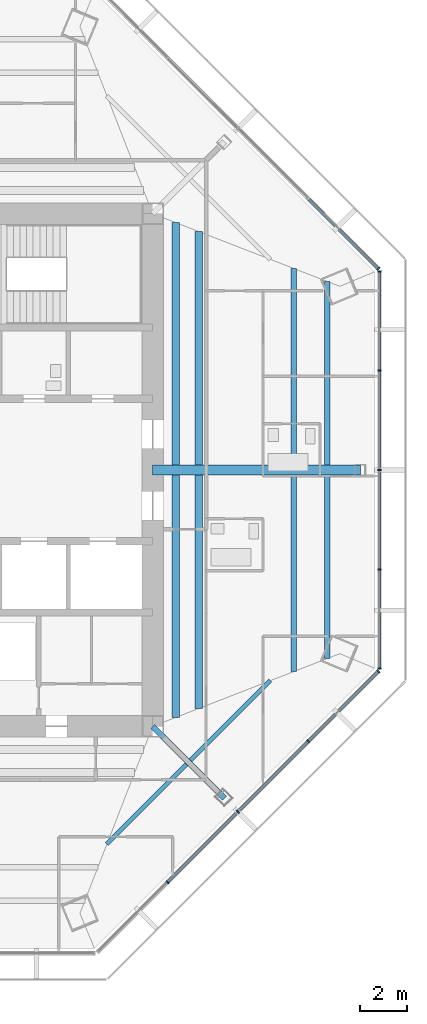
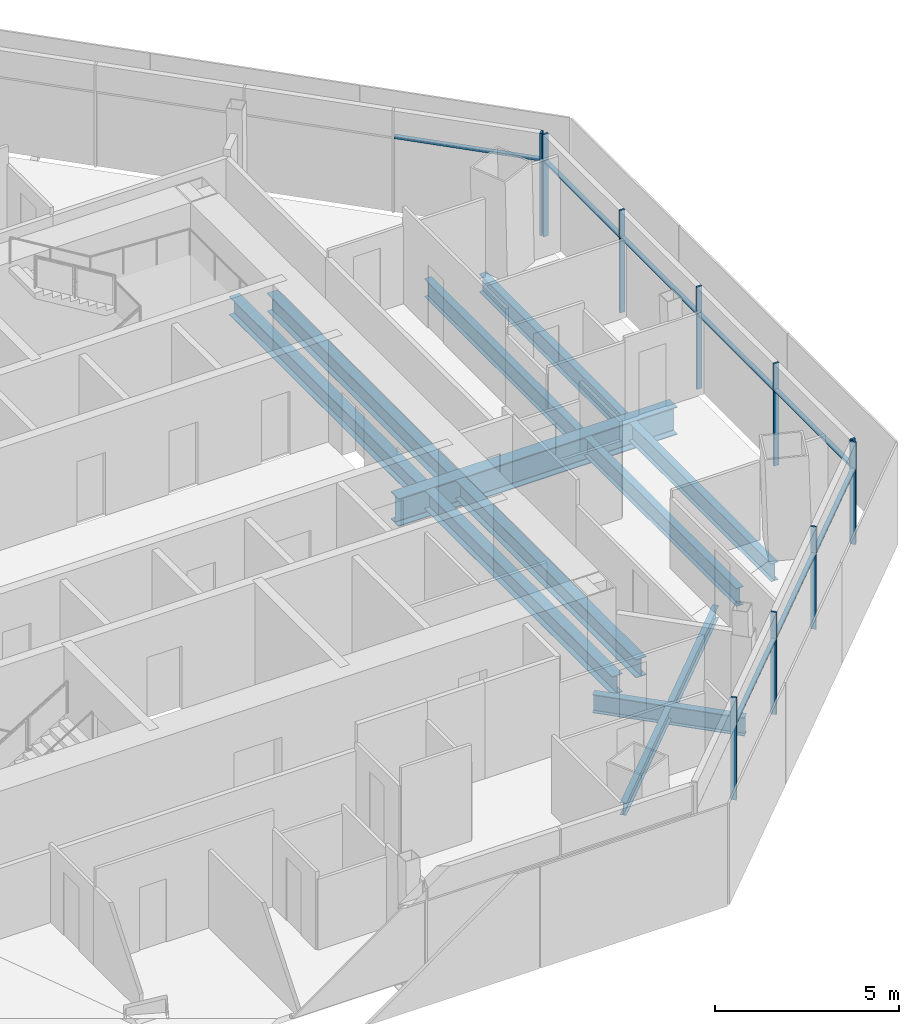
# One storey, part 5 of 15: 18 members, 12 beams, 3 elements without a shape of their own.
"""IFC4 building model written with IfcOpenShell, lengths in metres."""

from ifc_helpers import new_model, si_unit, direction, frame, origin, origin_2d, place, context, subcontext, project, spatial, rectangle, i_section, extrude, source, transform, mapped, material, material_profile, profile_set, type_object, type_shapes, element, aggregate, save


model = new_model("IFC4")

# Units and contexts
model_context = context("Model", 3, precision=1e-05, world=origin(), true_north=direction((0.0, 1.0)))
body_context = subcontext(model_context, "Body", "Model", "MODEL_VIEW")
ifc_project = project(units=[si_unit("LENGTHUNIT", "METRE"), si_unit("AREAUNIT", "SQUARE_METRE"), si_unit("VOLUMEUNIT", "CUBIC_METRE"), si_unit("PLANEANGLEUNIT", "RADIAN"), si_unit("MASSUNIT", "GRAM", prefix="KILO")], contexts=[model_context])

# Site, building, storey
site_placement = place(None, origin())
site = spatial("IfcSite", under=ifc_project, at=site_placement, CompositionType="ELEMENT")
building_placement = place(site_placement, origin())
building = spatial("IfcBuilding", under=site, at=building_placement, Name="Mashrafa Tower", CompositionType="ELEMENT")
storey_placement = place(building_placement, frame((0.0, 0.0, 270.800048828125)))
storey = spatial("IfcBuildingStorey", under=building, at=storey_placement, Name="L65", CompositionType="ELEMENT", Elevation=270.800048828125)

# Beams
ifc_material_1 = material(Name="Steel ASTM A992", Category="steel")
ifc_material_profile_1 = material_profile(ifc_material_1, i_section(OverallWidth=0.177734375, OverallDepth=0.406494140625, WebThickness=0.0078125, FlangeThickness=0.012939453125, FilletRadius=0.01025390625, at=origin_2d()), Name="W16X40")
ifc_profile_set_1 = profile_set([ifc_material_profile_1], Name="Steel ASTM A992")
beam_type_1 = type_object("IfcBeamType", Name="Beam W16X40", PredefinedType="BEAM", material=ifc_profile_set_1)
for number, where, z_axis, x_axis, name in (
    (1, (12.234619140625, -12.396484375, -0.4033203125), (-0.70713247034, -0.7070810911, 0.0), (0.7070810911, -0.70713247034, 0.0), "Floor beam L65 032"),
    (2, (15.75634765625, -8.87451171875, -0.4033203125), (-0.7070810911, -0.70713247034, 0.0), (0.70713247034, -0.7070810911, 0.0), "Floor beam L65 036"),
):
    element("IfcBeam", number, at=place(storey_placement, frame(where, z_axis=z_axis, x_axis=x_axis)), inside=storey, type_object=beam_type_1, Name=name, PredefinedType="BEAM", context=body_context, shape_type="SweptSolid", body=[
        extrude(i_section(OverallWidth=0.177734375, OverallDepth=0.406494140625, WebThickness=0.0078125, FlangeThickness=0.012939453125, FilletRadius=0.01025390625, at=origin_2d()), origin(), (0.0, 0.0, 1.0), 4.751708984375),
    ])
ifc_material_2 = material(Name="Steel ASTM A992", Category="steel")
ifc_material_profile_2 = material_profile(ifc_material_2, i_section(OverallWidth=0.3251953125, OverallDepth=0.612060546875, WebThickness=0.0126953125, FlangeThickness=0.01904296875, FilletRadius=0.0126953125, at=origin_2d()), Name="W24X104")
ifc_profile_set_2 = profile_set([ifc_material_profile_2], Name="Steel ASTM A992")
beam_type_2 = type_object("IfcBeamType", Name="Beam W24X104", PredefinedType="BEAM", material=ifc_profile_set_2)
for number, where, z_axis, x_axis, name in (
    (3, (11.7705078125, -0.20947265625, -0.506103515625), (0.0, -1.0, 0.0), (1.0, 0.0, 0.0), "Floor beam L65 030"),
    (4, (11.7705078125, 10.423095703125, -0.506103515625), (0.0, -1.0, 0.0), (1.0, 0.0, 0.0), "Floor beam L65 031"),
):
    element("IfcBeam", number, at=place(storey_placement, frame(where, z_axis=z_axis, x_axis=x_axis)), inside=storey, type_object=beam_type_2, Name=name, PredefinedType="BEAM", context=body_context, shape_type="SweptSolid", body=[
        extrude(i_section(OverallWidth=0.3251953125, OverallDepth=0.612060546875, WebThickness=0.0126953125, FlangeThickness=0.01904296875, FilletRadius=0.0126953125, at=origin_2d()), origin(), (0.0, 0.0, 1.0), 10.213623046875),
    ])
for number, where, z_axis, x_axis, name in (
    (5, (12.740966796875, -0.20947265625, -0.506103515625), (0.0, -1.0, 0.0), (1.0, 0.0, 0.0), "Floor beam L65 034"),
    (6, (12.740966796875, 10.0458984375, -0.506103515625), (0.0, -1.0, 0.0), (1.0, 0.0, 0.0), "Floor beam L65 035"),
):
    element("IfcBeam", number, at=place(storey_placement, frame(where, z_axis=z_axis, x_axis=x_axis)), inside=storey, type_object=beam_type_2, Name=name, PredefinedType="BEAM", context=body_context, shape_type="SweptSolid", body=[
        extrude(i_section(OverallWidth=0.3251953125, OverallDepth=0.612060546875, WebThickness=0.0126953125, FlangeThickness=0.01904296875, FilletRadius=0.0126953125, at=origin_2d()), origin(), (0.0, 0.0, 1.0), 9.83642578125),
    ])
ifc_material_3 = material(Name="Steel ASTM A992", Category="steel")
ifc_material_profile_3 = material_profile(ifc_material_3, i_section(OverallWidth=0.227783203125, OverallDepth=0.60205078125, WebThickness=0.010498046875, FlangeThickness=0.014892578125, FilletRadius=0.012939453125, at=origin_2d()), Name="W24X68")
ifc_profile_set_3 = profile_set([ifc_material_profile_3], Name="Steel ASTM A992")
beam_type_3 = type_object("IfcBeamType", Name="Beam W24X68", PredefinedType="BEAM", material=ifc_profile_set_3)
for number, where, z_axis, x_axis, name in (
    (7, (16.740966796875, -0.20947265625, -0.5009765625), (0.0, -1.0, 0.0), (1.0, 0.0, 0.0), "Floor beam L65 037"),
    (8, (16.740966796875, 8.4921875, -0.5009765625), (0.0, -1.0, 0.0), (1.0, 0.0, 0.0), "Floor beam L65 038"),
):
    element("IfcBeam", number, at=place(storey_placement, frame(where, z_axis=z_axis, x_axis=x_axis)), inside=storey, type_object=beam_type_3, Name=name, PredefinedType="BEAM", context=body_context, shape_type="SweptSolid", body=[
        extrude(i_section(OverallWidth=0.227783203125, OverallDepth=0.60205078125, WebThickness=0.010498046875, FlangeThickness=0.014892578125, FilletRadius=0.012939453125, at=origin_2d()), origin(), (0.0, 0.0, 1.0), 8.28271484375),
    ])
for number, where, z_axis, x_axis, name in (
    (9, (18.150390625, -0.20947265625, -0.5009765625), (0.0, -1.0, 0.0), (1.0, 0.0, 0.0), "Floor beam L65 039"),
    (10, (18.150390625, 7.944580078125, -0.5009765625), (0.0, -1.0, 0.0), (1.0, 0.0, 0.0), "Floor beam L65 040"),
):
    element("IfcBeam", number, at=place(storey_placement, frame(where, z_axis=z_axis, x_axis=x_axis)), inside=storey, type_object=beam_type_3, Name=name, PredefinedType="BEAM", context=body_context, shape_type="SweptSolid", body=[
        extrude(i_section(OverallWidth=0.227783203125, OverallDepth=0.60205078125, WebThickness=0.010498046875, FlangeThickness=0.014892578125, FilletRadius=0.012939453125, at=origin_2d()), origin(), (0.0, 0.0, 1.0), 7.735107421875),
    ])
ifc_material_4 = material(Name="Steel ASTM A992", Category="steel")
ifc_material_profile_4 = material_profile(ifc_material_4, i_section(OverallWidth=0.22900390625, OverallDepth=0.612060546875, WebThickness=0.011962890625, FlangeThickness=0.01953125, FilletRadius=0.0126953125, at=origin_2d()), Name="W24X84")
ifc_profile_set_4 = profile_set([ifc_material_profile_4], Name="Steel ASTM A992")
beam_type_4 = type_object("IfcBeamType", Name="Beam W24X84", PredefinedType="BEAM", material=ifc_profile_set_4)
beam_1_placement = place(storey_placement, frame((10.800048828125, -10.800048828125, -0.506103515625), z_axis=(0.707106781187, -0.707106781187, 0.0), x_axis=(0.707106781187, 0.707106781187, 0.0)))
element("IfcBeam", 11, at=beam_1_placement, inside=storey, type_object=beam_type_4, Name="Radial girder L65 046", PredefinedType="BEAM", context=body_context, shape_type="SweptSolid", body=[
    extrude(i_section(OverallWidth=0.22900390625, OverallDepth=0.612060546875, WebThickness=0.011962890625, FlangeThickness=0.01953125, FilletRadius=0.0126953125, at=origin_2d()), origin(), (0.0, 0.0, 1.0), 4.2861328125),
])
ifc_material_5 = material(Name="Steel ASTM A992", Category="steel")
ifc_material_profile_5 = material_profile(ifc_material_5, i_section(OverallWidth=0.419189453125, OverallDepth=0.927001953125, WebThickness=0.019287109375, FlangeThickness=0.031982421875, FilletRadius=0.020263671875, at=origin_2d()), Name="W36X231")
ifc_profile_set_5 = profile_set([ifc_material_profile_5], Name="Steel ASTM A992")
beam_type_5 = type_object("IfcBeamType", Name="Beam W36X231", PredefinedType="BEAM", material=ifc_profile_set_5)
beam_2_placement = place(storey_placement, frame((10.800048828125, 0.0, -0.66357421875), z_axis=(1.0, 0.0, 0.0), x_axis=(0.0, 1.0, 0.0)))
element("IfcBeam", 12, at=beam_2_placement, inside=storey, type_object=beam_type_5, Name="Radial girder L65 047", PredefinedType="BEAM", context=body_context, shape_type="SweptSolid", body=[
    extrude(i_section(OverallWidth=0.419189453125, OverallDepth=0.927001953125, WebThickness=0.019287109375, FlangeThickness=0.031982421875, FilletRadius=0.020263671875, at=origin_2d()), origin(), (0.0, 0.0, 1.0), 8.759765625),
])

# Curtain wall, members
ifc_material_6 = material(Name="Unitised aluminium curtain wall", Category="aluminium")
curtain_wall_type = type_object("IfcCurtainWallType", Name="Apartment curtain wall, zone 4 CW-D 160 deep", PredefinedType="NOTDEFINED", material=ifc_material_6)
curtain_wall_1_placement = place(storey_placement, origin())
curtain_wall_1 = element("IfcCurtainWall", 13, at=curtain_wall_1_placement, inside=storey, type_object=curtain_wall_type, Name="Apartment curtain wall, zone 4 L65 east", PredefinedType="NOTDEFINED")
ifc_material_7 = material(Name="Extruded aluminium mullion", Category="aluminium")
ifc_material_profile_6 = material_profile(ifc_material_7, rectangle(XDim=0.159912109375, YDim=0.06005859375, at=origin_2d()), Name="Mullion 60x160")
ifc_profile_set_6 = profile_set([ifc_material_profile_6], Name="Extruded aluminium mullion")
member_type_1 = type_object("IfcMemberType", Name="Mullion CW-D 60 x 160", PredefinedType="MULLION", material=ifc_profile_set_6)
shared_shape_1 = source(origin(), body_context, "Body", "SweptSolid", [
    extrude(rectangle(XDim=0.159912109375, YDim=0.06005859375, at=origin_2d()), origin(), (0.0, 0.0, 1.0), 3.39990234375),
])
type_shapes(member_type_1, [shared_shape_1])
member_1_placement = place(storey_placement, frame((20.354248046875, -8.35791015625, 0.0), z_axis=(0.0, 0.0, 1.0), x_axis=(-1.0, 0.0, 0.0)))
member_1 = element("IfcMember", 14, at=member_1_placement, type_object=member_type_1, Name="CW-D mullion 1", PredefinedType="MULLION", context=body_context, shape_type="MappedRepresentation", body=[
    mapped(shared_shape_1, transform((0.0, 0.0, 0.0))),
])
member_2_placement = place(storey_placement, frame((20.354248046875, -4.19384765625, 0.0), z_axis=(0.0, 0.0, 1.0), x_axis=(-1.0, 0.0, 0.0)))
member_2 = element("IfcMember", 15, at=member_2_placement, type_object=member_type_1, Name="CW-D mullion 2", PredefinedType="MULLION", context=body_context, shape_type="MappedRepresentation", body=[
    mapped(shared_shape_1, transform((0.0, 0.0, 0.0))),
])
member_3_placement = place(storey_placement, frame((20.354248046875, 0.0, 0.0), z_axis=(0.0, 0.0, 1.0), x_axis=(-1.0, 0.0, 0.0)))
member_3 = element("IfcMember", 16, at=member_3_placement, type_object=member_type_1, Name="CW-D mullion 3", PredefinedType="MULLION", context=body_context, shape_type="MappedRepresentation", body=[
    mapped(shared_shape_1, transform((0.0, 0.0, 0.0))),
])
member_4_placement = place(storey_placement, frame((20.354248046875, 4.19384765625, 0.0), z_axis=(0.0, 0.0, 1.0), x_axis=(-1.0, 0.0, 0.0)))
member_4 = element("IfcMember", 17, at=member_4_placement, type_object=member_type_1, Name="CW-D mullion 4", PredefinedType="MULLION", context=body_context, shape_type="MappedRepresentation", body=[
    mapped(shared_shape_1, transform((0.0, 0.0, 0.0))),
])
member_5_placement = place(storey_placement, frame((20.354248046875, 8.35791015625, 0.0), z_axis=(0.0, 0.0, 1.0), x_axis=(-1.0, 0.0, 0.0)))
member_5 = element("IfcMember", 18, at=member_5_placement, type_object=member_type_1, Name="CW-D mullion 5", PredefinedType="MULLION", context=body_context, shape_type="MappedRepresentation", body=[
    mapped(shared_shape_1, transform((0.0, 0.0, 0.0))),
])

# Curtain wall, member
curtain_wall_2_placement = place(storey_placement, origin())
curtain_wall_2 = element("IfcCurtainWall", 19, at=curtain_wall_2_placement, inside=storey, type_object=curtain_wall_type, Name="Apartment curtain wall, zone 4 L65 north-east", PredefinedType="NOTDEFINED")
member_6_placement = place(storey_placement, frame((20.302490234375, 8.482666015625, 0.0), z_axis=(0.0, 0.0, 1.0), x_axis=(-0.707106781187, -0.707106781187, 0.0)))
member_6 = element("IfcMember", 20, at=member_6_placement, type_object=member_type_1, Name="CW-D mullion 1", PredefinedType="MULLION", context=body_context, shape_type="MappedRepresentation", body=[
    mapped(shared_shape_1, transform((0.0, 0.0, 0.0))),
])

# Curtain wall, members
curtain_wall_3_placement = place(storey_placement, origin())
curtain_wall_3 = element("IfcCurtainWall", 21, at=curtain_wall_3_placement, inside=storey, type_object=curtain_wall_type, Name="Apartment curtain wall, zone 4 L65 south-east", PredefinedType="NOTDEFINED")
member_7_placement = place(storey_placement, frame((11.427001953125, -17.358154296875, 0.0), z_axis=(0.0, 0.0, 1.0), x_axis=(-0.707106781187, 0.707106781187, 0.0)))
member_7 = element("IfcMember", 22, at=member_7_placement, type_object=member_type_1, Name="CW-D mullion 2", PredefinedType="MULLION", context=body_context, shape_type="MappedRepresentation", body=[
    mapped(shared_shape_1, transform((0.0, 0.0, 0.0))),
])
member_8_placement = place(storey_placement, frame((14.392578125, -14.392578125, 0.0), z_axis=(0.0, 0.0, 1.0), x_axis=(-0.707106781187, 0.707106781187, 0.0)))
member_8 = element("IfcMember", 23, at=member_8_placement, type_object=member_type_1, Name="CW-D mullion 3", PredefinedType="MULLION", context=body_context, shape_type="MappedRepresentation", body=[
    mapped(shared_shape_1, transform((0.0, 0.0, 0.0))),
])
member_9_placement = place(storey_placement, frame((17.358154296875, -11.427001953125, 0.0), z_axis=(0.0, 0.0, 1.0), x_axis=(-0.707106781187, 0.707106781187, 0.0)))
member_9 = element("IfcMember", 24, at=member_9_placement, type_object=member_type_1, Name="CW-D mullion 4", PredefinedType="MULLION", context=body_context, shape_type="MappedRepresentation", body=[
    mapped(shared_shape_1, transform((0.0, 0.0, 0.0))),
])
member_10_placement = place(storey_placement, frame((20.302490234375, -8.482666015625, 0.0), z_axis=(0.0, 0.0, 1.0), x_axis=(-0.707106781187, 0.707106781187, 0.0)))
member_10 = element("IfcMember", 25, at=member_10_placement, type_object=member_type_1, Name="CW-D mullion 5", PredefinedType="MULLION", context=body_context, shape_type="MappedRepresentation", body=[
    mapped(shared_shape_1, transform((0.0, 0.0, 0.0))),
])

# Member
ifc_material_8 = material(Name="Extruded aluminium transom", Category="aluminium")
ifc_material_profile_7 = material_profile(ifc_material_8, rectangle(XDim=0.1279296875, YDim=0.074951171875, at=origin_2d()), Name="Transom 75x128")
ifc_profile_set_7 = profile_set([ifc_material_profile_7], Name="Extruded aluminium transom")
member_type_2 = type_object("IfcMemberType", Name="Transom CW-D 75 x 128", PredefinedType="MULLION", material=ifc_profile_set_7)
shared_shape_2 = source(origin(), body_context, "Body", "SweptSolid", [
    extrude(rectangle(XDim=0.1279296875, YDim=0.074951171875, at=origin_2d()), origin(), (0.0, 0.0, 1.0), 4.10400390625),
])
member_11_placement = place(storey_placement, frame((20.354248046875, -8.327880859375, 2.5), z_axis=(0.0, 1.0, 0.0), x_axis=(-1.0, 0.0, 0.0)))
member_11 = element("IfcMember", 26, at=member_11_placement, type_object=member_type_2, Name="CW-D transom 1", PredefinedType="MULLION", context=body_context, shape_type="MappedRepresentation", body=[
    mapped(shared_shape_2, transform((0.0, 0.0, 0.0))),
])

member_12_placement = place(storey_placement, frame((20.354248046875, 4.223876953125, 2.5), z_axis=(0.0, 1.0, 0.0), x_axis=(-1.0, 0.0, 0.0)))
member_12 = element("IfcMember", 27, at=member_12_placement, type_object=member_type_2, Name="CW-D transom 4", PredefinedType="MULLION", context=body_context, shape_type="MappedRepresentation", body=[
    mapped(shared_shape_2, transform((0.0, 0.0, 0.0))),
])

shared_shape_3 = source(origin(), body_context, "Body", "SweptSolid", [
    extrude(rectangle(XDim=0.1279296875, YDim=0.074951171875, at=origin_2d()), origin(), (0.0, 0.0, 1.0), 4.1337890625),
])
member_13_placement = place(storey_placement, frame((20.354248046875, -4.163818359375, 2.5), z_axis=(0.0, 1.0, 0.0), x_axis=(-1.0, 0.0, 0.0)))
member_13 = element("IfcMember", 28, at=member_13_placement, type_object=member_type_2, Name="CW-D transom 2", PredefinedType="MULLION", context=body_context, shape_type="MappedRepresentation", body=[
    mapped(shared_shape_3, transform((0.0, 0.0, 0.0))),
])

member_14_placement = place(storey_placement, frame((20.354248046875, 0.030029296875, 2.5), z_axis=(0.0, 1.0, 0.0), x_axis=(-1.0, 0.0, 0.0)))
member_14 = element("IfcMember", 29, at=member_14_placement, type_object=member_type_2, Name="CW-D transom 3", PredefinedType="MULLION", context=body_context, shape_type="MappedRepresentation", body=[
    mapped(shared_shape_3, transform((0.0, 0.0, 0.0))),
])

aggregate(curtain_wall_1, [member_1, member_2, member_3, member_4, member_5, member_11, member_13, member_14, member_12])

member_15_placement = place(storey_placement, frame((11.4482421875, -17.3369140625, 2.5), z_axis=(0.707106781187, 0.707106781187, 0.0), x_axis=(-0.707106781187, 0.707106781187, 0.0)))
member_15 = element("IfcMember", 30, at=member_15_placement, type_object=member_type_2, Name="CW-D transom 2", PredefinedType="MULLION", context=body_context, shape_type="MappedRepresentation", body=[
    mapped(shared_shape_3, transform((0.0, 0.0, 0.0))),
])

member_16_placement = place(storey_placement, frame((14.413818359375, -14.371337890625, 2.5), z_axis=(0.707106781187, 0.707106781187, 0.0), x_axis=(-0.707106781187, 0.707106781187, 0.0)))
member_16 = element("IfcMember", 31, at=member_16_placement, type_object=member_type_2, Name="CW-D transom 3", PredefinedType="MULLION", context=body_context, shape_type="MappedRepresentation", body=[
    mapped(shared_shape_3, transform((0.0, 0.0, 0.0))),
])

shared_shape_4 = source(origin(), body_context, "Body", "SweptSolid", [
    extrude(rectangle(XDim=0.1279296875, YDim=0.074951171875, at=origin_2d()), origin(), (0.0, 0.0, 1.0), 4.103759765625),
])
type_shapes(member_type_2, [shared_shape_2, shared_shape_3, shared_shape_4])
member_17_placement = place(storey_placement, frame((20.28125, 8.50390625, 2.5), z_axis=(-0.707106781187, 0.707106781187, 0.0), x_axis=(-0.707106781187, -0.707106781187, 0.0)))
member_17 = element("IfcMember", 32, at=member_17_placement, type_object=member_type_2, Name="CW-D transom 1", PredefinedType="MULLION", context=body_context, shape_type="MappedRepresentation", body=[
    mapped(shared_shape_4, transform((0.0, 0.0, 0.0))),
])

aggregate(curtain_wall_2, [member_6, member_17])

member_18_placement = place(storey_placement, frame((17.37939453125, -11.40576171875, 2.5), z_axis=(0.707106781187, 0.707106781187, 0.0), x_axis=(-0.707106781187, 0.707106781187, 0.0)))
member_18 = element("IfcMember", 33, at=member_18_placement, type_object=member_type_2, Name="CW-D transom 4", PredefinedType="MULLION", context=body_context, shape_type="MappedRepresentation", body=[
    mapped(shared_shape_4, transform((0.0, 0.0, 0.0))),
])

aggregate(curtain_wall_3, [member_7, member_8, member_9, member_10, member_15, member_16, member_18])

save(model, "model.ifc")
